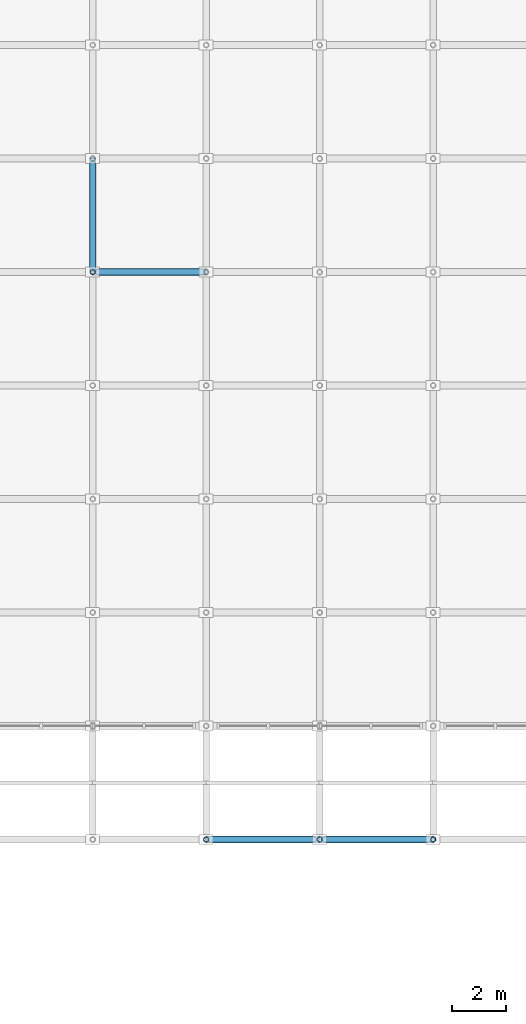
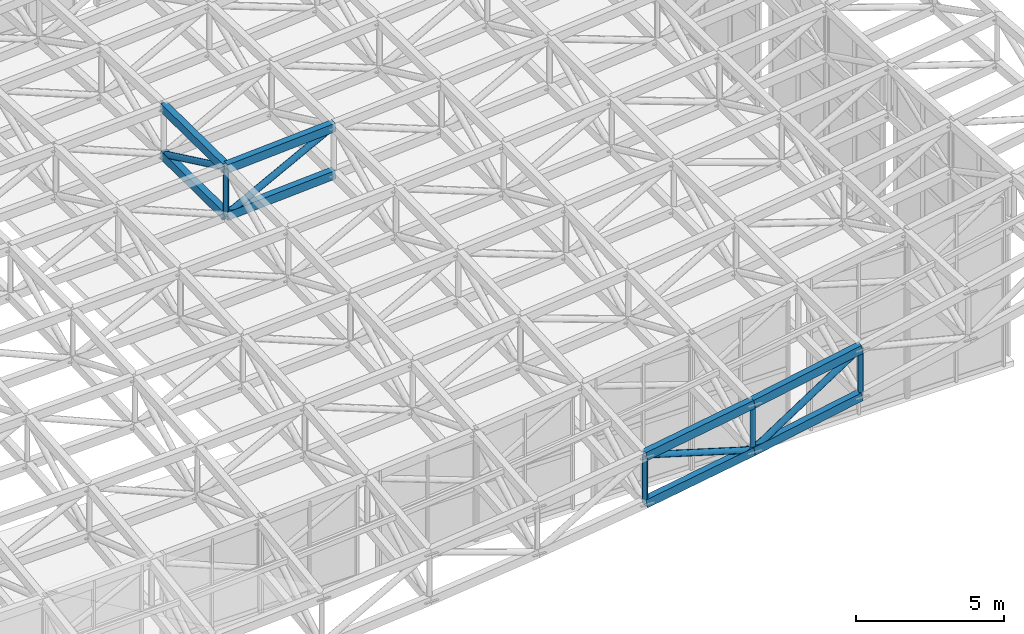
# One storey, part 45 of 111: 16 members.
"""IFC4 building model written with IfcOpenShell, lengths in metres."""

from ifc_helpers import new_model, si_unit, direction, frame, origin, origin_2d, place, context, subcontext, project, spatial, hollow_rectangle, hollow_circle, extrude, material, material_profile, profile_set, type_object, element, save


model = new_model("IFC4")

# Units and contexts
model_context = context("Model", 3, precision=1e-05, world=origin(), true_north=direction((0.0, 1.0)))
body_context = subcontext(model_context, "Body", "Model", "MODEL_VIEW")
ifc_project = project(units=[si_unit("LENGTHUNIT", "METRE"), si_unit("AREAUNIT", "SQUARE_METRE"), si_unit("VOLUMEUNIT", "CUBIC_METRE"), si_unit("PLANEANGLEUNIT", "RADIAN"), si_unit("MASSUNIT", "GRAM", prefix="KILO")], contexts=[model_context])

# Site, building, storey
site_placement = place(None, origin())
site = spatial("IfcSite", under=ifc_project, at=site_placement, CompositionType="ELEMENT")
building_placement = place(site_placement, origin())
building = spatial("IfcBuilding", under=site, at=building_placement, Name="Cumbredor Promenade Congress Hotel", CompositionType="ELEMENT")
storey_placement = place(building_placement, frame((0.0, 0.0, 15.1201171875)))
storey = spatial("IfcBuildingStorey", under=building, at=storey_placement, Name="L04", CompositionType="ELEMENT", Elevation=15.1201171875)

# Members
ifc_material = material(Name="Steel ASTM A500 Grade C", Category="steel")
ifc_material_profile_1 = material_profile(ifc_material, hollow_rectangle(XDim=0.25, YDim=0.35009765625, WallThickness=0.01611328125, at=origin_2d()), Name="HSS 350x250x16")
ifc_profile_set_1 = profile_set([ifc_material_profile_1], Name="Steel ASTM A500 Grade C")
member_type_1 = type_object("IfcMemberType", Name="Forum Roof Truss Chord", PredefinedType="CHORD", material=ifc_profile_set_1)
for number, where, z_axis, x_axis, name in (
    (1, (159.60009765625, 79.800048828125, 4.546875), (0.986884056169, 0.0, 0.161430665236), (0.0, 1.0, 0.0), "Pre-Function and Breakout Meeting Forum X Top Chord 18.1"),
    (2, (159.60009765625, 79.800048828125, 2.596923828125), (0.986884056169, 0.0, 0.161430665236), (0.0, 1.0, 0.0), "Pre-Function and Breakout Meeting Forum X Bottom Chord 18.1"),
):
    element("IfcMember", number, at=place(storey_placement, frame(where, z_axis=z_axis, x_axis=x_axis)), inside=storey, type_object=member_type_1, Name=name, PredefinedType="CHORD", context=body_context, shape_type="SweptSolid", body=[
        extrude(hollow_rectangle(XDim=0.25, YDim=0.35009765625, WallThickness=0.01611328125, at=origin_2d()), origin(), (0.0, 0.0, 1.0), 4.255859375),
    ])
member_1_placement = place(storey_placement, frame((163.800048828125, 79.800048828125, 5.23388671875), z_axis=(0.982660082825, 0.0, 0.185416184901), x_axis=(0.0, 1.0, 0.0)))
element("IfcMember", 3, at=member_1_placement, inside=storey, type_object=member_type_1, Name="Pre-Function and Breakout Meeting Forum X Top Chord 19.1", PredefinedType="CHORD", context=body_context, shape_type="SweptSolid", body=[
    extrude(hollow_rectangle(XDim=0.25, YDim=0.35009765625, WallThickness=0.01611328125, at=origin_2d()), origin(), (0.0, 0.0, 1.0), 4.274169921875),
])
member_2_placement = place(storey_placement, frame((163.800048828125, 79.800048828125, 3.283935546875), z_axis=(0.982670488974, 0.0, 0.185361026375), x_axis=(0.0, 1.0, 0.0)))
element("IfcMember", 4, at=member_2_placement, inside=storey, type_object=member_type_1, Name="Pre-Function and Breakout Meeting Forum X Bottom Chord 19.1", PredefinedType="CHORD", context=body_context, shape_type="SweptSolid", body=[
    extrude(hollow_rectangle(XDim=0.25, YDim=0.35009765625, WallThickness=0.01611328125, at=origin_2d()), origin(), (0.0, 0.0, 1.0), 4.27392578125),
])
for number, where, z_axis, x_axis, name in (
    (5, (155.39990234375, 100.800048828125, 5.125), (0.998170831538, 0.0, 0.060456522115), (0.0, 1.0, 0.0), "Pre-Function and Breakout Meeting Forum X Top Chord 17.6"),
    (6, (155.39990234375, 100.800048828125, 3.1748046875), (0.998170831538, 0.0, 0.060456522115), (0.0, 1.0, 0.0), "Pre-Function and Breakout Meeting Forum X Bottom Chord 17.6"),
):
    element("IfcMember", number, at=place(storey_placement, frame(where, z_axis=z_axis, x_axis=x_axis)), inside=storey, type_object=member_type_1, Name=name, PredefinedType="CHORD", context=body_context, shape_type="SweptSolid", body=[
        extrude(hollow_rectangle(XDim=0.25, YDim=0.35009765625, WallThickness=0.01611328125, at=origin_2d()), origin(), (0.0, 0.0, 1.0), 4.2080078125),
    ])
for number, where, z_axis, x_axis, name in (
    (7, (155.39990234375, 100.800048828125, 5.125), (0.0, 0.999938370562, -0.011102030389), (-1.0, 0.0, 0.0), "Pre-Function and Breakout Meeting Forum Y Top Chord 17.6"),
    (8, (155.39990234375, 100.800048828125, 3.1748046875), (0.0, 0.999939014148, -0.011043911683), (-1.0, 0.0, 0.0), "Pre-Function and Breakout Meeting Forum Y Bottom Chord 17.6"),
):
    element("IfcMember", number, at=place(storey_placement, frame(where, z_axis=z_axis, x_axis=x_axis)), inside=storey, type_object=member_type_1, Name=name, PredefinedType="CHORD", context=body_context, shape_type="SweptSolid", body=[
        extrude(hollow_rectangle(XDim=0.25, YDim=0.35009765625, WallThickness=0.01611328125, at=origin_2d()), origin(), (0.0, 0.0, 1.0), 4.2001953125),
    ])
ifc_material_profile_2 = material_profile(ifc_material, hollow_circle(Radius=0.122314453125, WallThickness=0.012451171875, at=origin_2d()), Name="CHS 244.5x12.5")
ifc_profile_set_2 = profile_set([ifc_material_profile_2], Name="Steel ASTM A500 Grade C")
member_type_2 = type_object("IfcMemberType", Name="Space Frame Web Diagonal D2", PredefinedType="BRACE", material=ifc_profile_set_2)
member_3_placement = place(storey_placement, frame((159.60009765625, 79.800048828125, 4.546875), z_axis=(0.957640699197, 0.0, -0.287965781372), x_axis=(0.0, 1.0, 0.0)))
element("IfcMember", 9, at=member_3_placement, inside=storey, type_object=member_type_2, Name="Pre-Function and Breakout Meeting Forum X Web Diagonal 18.1", PredefinedType="BRACE", context=body_context, shape_type="SweptSolid", body=[
    extrude(hollow_circle(Radius=0.122314453125, WallThickness=0.012451171875, at=origin_2d()), origin(), (0.0, 0.0, 1.0), 4.3857421875),
])
member_4_placement = place(storey_placement, frame((163.800048828125, 79.800048828125, 3.283935546875), z_axis=(0.837306427751, 0.0, 0.546733889608), x_axis=(0.0, 1.0, 0.0)))
element("IfcMember", 10, at=member_4_placement, inside=storey, type_object=member_type_2, Name="Pre-Function and Breakout Meeting Forum X Web Diagonal 19.1", PredefinedType="BRACE", context=body_context, shape_type="SweptSolid", body=[
    extrude(hollow_circle(Radius=0.122314453125, WallThickness=0.012451171875, at=origin_2d()), origin(), (0.0, 0.0, 1.0), 5.01611328125),
])
member_5_placement = place(storey_placement, frame((155.39990234375, 100.800048828125, 3.1748046875), z_axis=(0.885442381003, 0.0, 0.464749168825), x_axis=(0.0, 1.0, 0.0)))
element("IfcMember", 11, at=member_5_placement, inside=storey, type_object=member_type_2, Name="Pre-Function and Breakout Meeting Forum X Web Diagonal 17.6", PredefinedType="BRACE", context=body_context, shape_type="SweptSolid", body=[
    extrude(hollow_circle(Radius=0.122314453125, WallThickness=0.012451171875, at=origin_2d()), origin(), (0.0, 0.0, 1.0), 4.74365234375),
])
member_6_placement = place(storey_placement, frame((155.39990234375, 100.800048828125, 5.125), z_axis=(0.0, 0.903143682535, -0.429338431423), x_axis=(-1.0, 0.0, 0.0)))
element("IfcMember", 12, at=member_6_placement, inside=storey, type_object=member_type_2, Name="Pre-Function and Breakout Meeting Forum Y Web Diagonal 17.6", PredefinedType="BRACE", context=body_context, shape_type="SweptSolid", body=[
    extrude(hollow_circle(Radius=0.122314453125, WallThickness=0.012451171875, at=origin_2d()), origin(), (0.0, 0.0, 1.0), 4.650390625),
])
ifc_material_profile_3 = material_profile(ifc_material, hollow_circle(Radius=0.096923828125, WallThickness=0.010009765625, at=origin_2d()), Name="CHS 193.7x10")
ifc_profile_set_3 = profile_set([ifc_material_profile_3], Name="Steel ASTM A500 Grade C")
member_type_3 = type_object("IfcMemberType", Name="Space Frame Web Post P1", PredefinedType="BRACE", material=ifc_profile_set_3)
member_7_placement = place(storey_placement, frame((155.39990234375, 100.800048828125, 3.1748046875), z_axis=(0.0, 0.0, 1.0), x_axis=(1.0, 0.0, 0.0)))
element("IfcMember", 13, at=member_7_placement, inside=storey, type_object=member_type_3, Name="Pre-Function and Breakout Meeting Forum Space Frame Web Post 17.6", PredefinedType="BRACE", context=body_context, shape_type="SweptSolid", body=[
    extrude(hollow_circle(Radius=0.096923828125, WallThickness=0.010009765625, at=origin_2d()), origin(), (0.0, 0.0, 1.0), 1.9501953125),
])
for number, where, z_axis, x_axis, name in (
    (14, (159.60009765625, 79.800048828125, 2.596923828125), (0.0, 0.0, 1.0), (1.0, 0.0, 0.0), "Pre-Function and Breakout Meeting Forum Space Frame Web Post 18.1"),
    (15, (163.800048828125, 79.800048828125, 3.283935546875), (0.0, 0.0, 1.0), (1.0, 0.0, 0.0), "Pre-Function and Breakout Meeting Forum Space Frame Web Post 19.1"),
):
    element("IfcMember", number, at=place(storey_placement, frame(where, z_axis=z_axis, x_axis=x_axis)), inside=storey, type_object=member_type_3, Name=name, PredefinedType="BRACE", context=body_context, shape_type="SweptSolid", body=[
        extrude(hollow_circle(Radius=0.096923828125, WallThickness=0.010009765625, at=origin_2d()), origin(), (0.0, 0.0, 1.0), 1.949951171875),
    ])
member_8_placement = place(storey_placement, frame((168.0, 79.800048828125, 4.076171875), z_axis=(0.0, 0.0, 1.0), x_axis=(1.0, 0.0, 0.0)))
element("IfcMember", 16, at=member_8_placement, inside=storey, type_object=member_type_3, Name="Pre-Function and Breakout Meeting Forum Space Frame Web Post 20.1", PredefinedType="BRACE", context=body_context, shape_type="SweptSolid", body=[
    extrude(hollow_circle(Radius=0.096923828125, WallThickness=0.010009765625, at=origin_2d()), origin(), (0.0, 0.0, 1.0), 1.9501953125),
])

save(model, "model.ifc")
